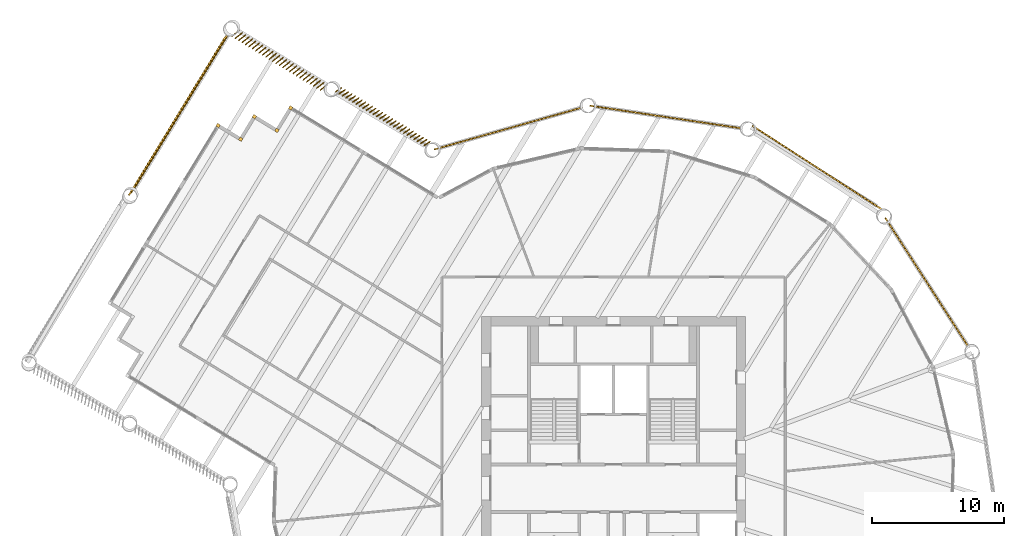
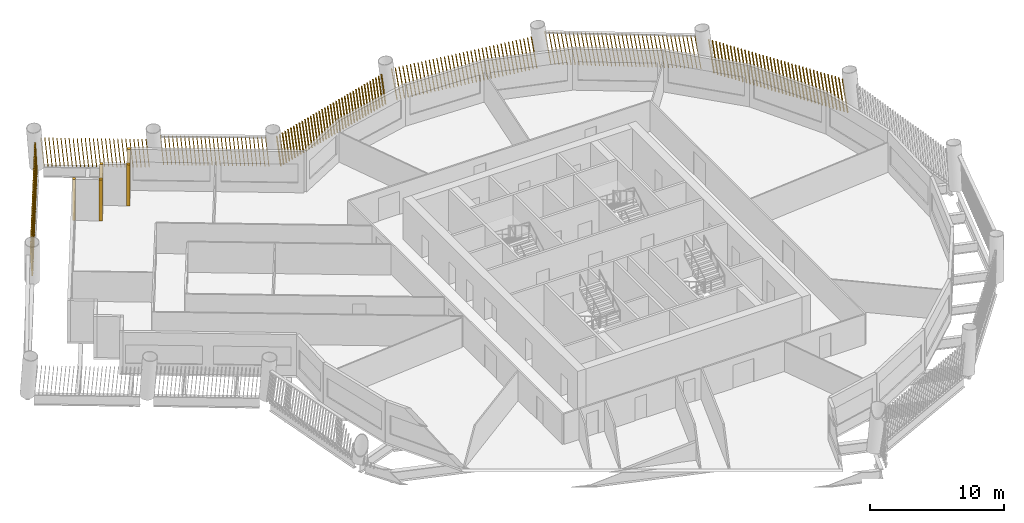
# One storey, part 14 of 15: 12 shading devices.
"""IFC4 building model written with IfcOpenShell, lengths in metres."""

from ifc_helpers import new_model, si_unit, direction, frame, frame_2d, origin, origin_2d, place, context, subcontext, project, spatial, rectangle, composite_profile, extrude, material, type_object, element, save


model = new_model("IFC4")

# Units and contexts
model_context = context("Model", 3, precision=1e-05, world=origin(), true_north=direction((0.0, 1.0)))
body_context = subcontext(model_context, "Body", "Model", "MODEL_VIEW")
ifc_project = project(units=[si_unit("LENGTHUNIT", "METRE"), si_unit("AREAUNIT", "SQUARE_METRE"), si_unit("VOLUMEUNIT", "CUBIC_METRE"), si_unit("PLANEANGLEUNIT", "RADIAN"), si_unit("MASSUNIT", "GRAM", prefix="KILO")], contexts=[model_context])

# Site, building, storey
site_placement = place(None, origin())
site = spatial("IfcSite", under=ifc_project, at=site_placement, CompositionType="ELEMENT")
building_placement = place(site_placement, origin())
building = spatial("IfcBuilding", under=site, at=building_placement, Name="Tarsis Ring Headquarters", CompositionType="ELEMENT")
storey_placement = place(building_placement, frame((0.0, 0.0, 151.5)))
storey = spatial("IfcBuildingStorey", under=building, at=storey_placement, Name="L34", CompositionType="ELEMENT", Elevation=151.5)

# Shading devices
ifc_material = material(Name="Terracotta baguette", Category="masonry")
shading_device_type_1 = type_object("IfcShadingDeviceType", Name="Terracotta baguette screen", PredefinedType="USERDEFINED", material=ifc_material)
shading_device_1_placement = place(storey_placement, frame((26.9130859375, 10.65966796875, 0.0), z_axis=(0.0, 0.0, 1.0), x_axis=(-0.541865613334, 0.840459241254, 0.0)))
element("IfcShadingDevice", 1, at=shading_device_1_placement, inside=storey, type_object=shading_device_type_1, Name="Baguette screen L34-11", ObjectType="Terracotta baguette screen", PredefinedType="USERDEFINED", context=body_context, shape_type="SweptSolid", body=[
    extrude(composite_profile([rectangle(XDim=0.06005859375, YDim=0.1201171875, at=frame_2d((0.030029296875, 0.0))), rectangle(XDim=0.06005859375, YDim=0.1201171875, at=frame_2d((0.33251953125, 0.0))), rectangle(XDim=0.06005859375, YDim=0.1201171875, at=frame_2d((0.634765625, 0.0))), rectangle(XDim=0.06005859375, YDim=0.1201171875, at=frame_2d((0.937255859375, 0.0))), rectangle(XDim=0.06005859375, YDim=0.1201171875, at=frame_2d((1.239501953125, 0.0))), rectangle(XDim=0.06005859375, YDim=0.1201171875, at=frame_2d((1.5419921875, 0.0))), rectangle(XDim=0.06005859375, YDim=0.1201171875, at=frame_2d((1.844482421875, 0.0))), rectangle(XDim=0.06005859375, YDim=0.1201171875, at=frame_2d((2.146728515625, 0.0))), rectangle(XDim=0.06005859375, YDim=0.1201171875, at=frame_2d((2.44921875, 0.0))), rectangle(XDim=0.06005859375, YDim=0.1201171875, at=frame_2d((2.751708984375, 0.0))), rectangle(XDim=0.06005859375, YDim=0.1201171875, at=frame_2d((3.053955078125, 0.0))), rectangle(XDim=0.06005859375, YDim=0.1201171875, at=frame_2d((3.3564453125, 0.0))), rectangle(XDim=0.06005859375, YDim=0.1201171875, at=frame_2d((3.65869140625, 0.0))), rectangle(XDim=0.06005859375, YDim=0.1201171875, at=frame_2d((3.961181640625, 0.0))), rectangle(XDim=0.06005859375, YDim=0.1201171875, at=frame_2d((4.263671875, 0.0))), rectangle(XDim=0.06005859375, YDim=0.1201171875, at=frame_2d((4.56591796875, 0.0))), rectangle(XDim=0.06005859375, YDim=0.1201171875, at=frame_2d((4.868408203125, 0.0))), rectangle(XDim=0.06005859375, YDim=0.1201171875, at=frame_2d((5.1708984375, 0.0))), rectangle(XDim=0.06005859375, YDim=0.1201171875, at=frame_2d((5.47314453125, 0.0))), rectangle(XDim=0.06005859375, YDim=0.1201171875, at=frame_2d((5.775634765625, 0.0))), rectangle(XDim=0.06005859375, YDim=0.1201171875, at=frame_2d((6.077880859375, 0.0))), rectangle(XDim=0.06005859375, YDim=0.1201171875, at=frame_2d((6.38037109375, 0.0))), rectangle(XDim=0.06005859375, YDim=0.1201171875, at=frame_2d((6.682861328125, 0.0))), rectangle(XDim=0.06005859375, YDim=0.1201171875, at=frame_2d((6.985107421875, 0.0))), rectangle(XDim=0.06005859375, YDim=0.1201171875, at=frame_2d((7.28759765625, 0.0))), rectangle(XDim=0.06005859375, YDim=0.1201171875, at=frame_2d((7.590087890625, 0.0))), rectangle(XDim=0.06005859375, YDim=0.1201171875, at=frame_2d((7.892333984375, 0.0))), rectangle(XDim=0.06005859375, YDim=0.1201171875, at=frame_2d((8.19482421875, 0.0))), rectangle(XDim=0.06005859375, YDim=0.1201171875, at=frame_2d((8.4970703125, 0.0))), rectangle(XDim=0.06005859375, YDim=0.1201171875, at=frame_2d((8.799560546875, 0.0))), rectangle(XDim=0.06005859375, YDim=0.1201171875, at=frame_2d((9.10205078125, 0.0))), rectangle(XDim=0.06005859375, YDim=0.1201171875, at=frame_2d((9.404296875, 0.0))), rectangle(XDim=0.06005859375, YDim=0.1201171875, at=frame_2d((9.706787109375, 0.0))), rectangle(XDim=0.06005859375, YDim=0.1201171875, at=frame_2d((10.00927734375, 0.0))), rectangle(XDim=0.06005859375, YDim=0.1201171875, at=frame_2d((10.3115234375, 0.0))), rectangle(XDim=0.06005859375, YDim=0.1201171875, at=frame_2d((10.614013671875, 0.0))), rectangle(XDim=0.06005859375, YDim=0.1201171875, at=frame_2d((10.916259765625, 0.0))), rectangle(XDim=0.06005859375, YDim=0.1201171875, at=frame_2d((11.21875, 0.0)))]), origin(), (0.149495011453, 0.001174943571, 0.988761781754), 2.9833984375),
])
shading_device_2_placement = place(storey_placement, frame((20.330078125, 21.120361328125, 0.0), z_axis=(0.0, 0.0, 1.0), x_axis=(-0.840130222463, 0.5423982637, 0.0)))
element("IfcShadingDevice", 2, at=shading_device_2_placement, inside=storey, type_object=shading_device_type_1, Name="Baguette screen L34-12", ObjectType="Terracotta baguette screen", PredefinedType="USERDEFINED", context=body_context, shape_type="SweptSolid", body=[
    extrude(composite_profile([rectangle(XDim=0.06005859375, YDim=0.1201171875, at=frame_2d((0.030029296875, 0.0))), rectangle(XDim=0.06005859375, YDim=0.1201171875, at=frame_2d((0.33251953125, 0.0))), rectangle(XDim=0.06005859375, YDim=0.1201171875, at=frame_2d((0.634765625, 0.0))), rectangle(XDim=0.06005859375, YDim=0.1201171875, at=frame_2d((0.937255859375, 0.0))), rectangle(XDim=0.06005859375, YDim=0.1201171875, at=frame_2d((1.239501953125, 0.0))), rectangle(XDim=0.06005859375, YDim=0.1201171875, at=frame_2d((1.5419921875, 0.0))), rectangle(XDim=0.06005859375, YDim=0.1201171875, at=frame_2d((1.844482421875, 0.0))), rectangle(XDim=0.06005859375, YDim=0.1201171875, at=frame_2d((2.146728515625, 0.0))), rectangle(XDim=0.06005859375, YDim=0.1201171875, at=frame_2d((2.44921875, 0.0))), rectangle(XDim=0.06005859375, YDim=0.1201171875, at=frame_2d((2.751708984375, 0.0))), rectangle(XDim=0.06005859375, YDim=0.1201171875, at=frame_2d((3.053955078125, 0.0))), rectangle(XDim=0.06005859375, YDim=0.1201171875, at=frame_2d((3.3564453125, 0.0))), rectangle(XDim=0.06005859375, YDim=0.1201171875, at=frame_2d((3.65869140625, 0.0))), rectangle(XDim=0.06005859375, YDim=0.1201171875, at=frame_2d((3.961181640625, 0.0))), rectangle(XDim=0.06005859375, YDim=0.1201171875, at=frame_2d((4.263671875, 0.0))), rectangle(XDim=0.06005859375, YDim=0.1201171875, at=frame_2d((4.56591796875, 0.0))), rectangle(XDim=0.06005859375, YDim=0.1201171875, at=frame_2d((4.868408203125, 0.0))), rectangle(XDim=0.06005859375, YDim=0.1201171875, at=frame_2d((5.1708984375, 0.0))), rectangle(XDim=0.06005859375, YDim=0.1201171875, at=frame_2d((5.47314453125, 0.0))), rectangle(XDim=0.06005859375, YDim=0.1201171875, at=frame_2d((5.775634765625, 0.0))), rectangle(XDim=0.06005859375, YDim=0.1201171875, at=frame_2d((6.077880859375, 0.0))), rectangle(XDim=0.06005859375, YDim=0.1201171875, at=frame_2d((6.38037109375, 0.0))), rectangle(XDim=0.06005859375, YDim=0.1201171875, at=frame_2d((6.682861328125, 0.0))), rectangle(XDim=0.06005859375, YDim=0.1201171875, at=frame_2d((6.985107421875, 0.0))), rectangle(XDim=0.06005859375, YDim=0.1201171875, at=frame_2d((7.28759765625, 0.0))), rectangle(XDim=0.06005859375, YDim=0.1201171875, at=frame_2d((7.590087890625, 0.0))), rectangle(XDim=0.06005859375, YDim=0.1201171875, at=frame_2d((7.892333984375, 0.0))), rectangle(XDim=0.06005859375, YDim=0.1201171875, at=frame_2d((8.19482421875, 0.0))), rectangle(XDim=0.06005859375, YDim=0.1201171875, at=frame_2d((8.4970703125, 0.0))), rectangle(XDim=0.06005859375, YDim=0.1201171875, at=frame_2d((8.799560546875, 0.0))), rectangle(XDim=0.06005859375, YDim=0.1201171875, at=frame_2d((9.10205078125, 0.0))), rectangle(XDim=0.06005859375, YDim=0.1201171875, at=frame_2d((9.404296875, 0.0))), rectangle(XDim=0.06005859375, YDim=0.1201171875, at=frame_2d((9.706787109375, 0.0))), rectangle(XDim=0.06005859375, YDim=0.1201171875, at=frame_2d((10.00927734375, 0.0))), rectangle(XDim=0.06005859375, YDim=0.1201171875, at=frame_2d((10.3115234375, 0.0))), rectangle(XDim=0.06005859375, YDim=0.1201171875, at=frame_2d((10.614013671875, 0.0))), rectangle(XDim=0.06005859375, YDim=0.1201171875, at=frame_2d((10.916259765625, 0.0))), rectangle(XDim=0.06005859375, YDim=0.1201171875, at=frame_2d((11.21875, 0.0)))]), origin(), (0.15142640584, 0.001190843937, 0.988467817132), 2.984375),
])
shading_device_3_placement = place(storey_placement, frame((9.761474609375, 27.251708984375, 0.0), z_axis=(0.0, 0.0, 1.0), x_axis=(-0.988996201845, 0.147867607162, 0.0)))
element("IfcShadingDevice", 3, at=shading_device_3_placement, inside=storey, type_object=shading_device_type_1, Name="Baguette screen L34-13", ObjectType="Terracotta baguette screen", PredefinedType="USERDEFINED", context=body_context, shape_type="SweptSolid", body=[
    extrude(composite_profile([rectangle(XDim=0.06005859375, YDim=0.1201171875, at=frame_2d((0.030029296875, 0.0))), rectangle(XDim=0.06005859375, YDim=0.1201171875, at=frame_2d((0.33251953125, 0.0))), rectangle(XDim=0.06005859375, YDim=0.1201171875, at=frame_2d((0.634765625, 0.0))), rectangle(XDim=0.06005859375, YDim=0.1201171875, at=frame_2d((0.937255859375, 0.0))), rectangle(XDim=0.06005859375, YDim=0.1201171875, at=frame_2d((1.239501953125, 0.0))), rectangle(XDim=0.06005859375, YDim=0.1201171875, at=frame_2d((1.5419921875, 0.0))), rectangle(XDim=0.06005859375, YDim=0.1201171875, at=frame_2d((1.844482421875, 0.0))), rectangle(XDim=0.06005859375, YDim=0.1201171875, at=frame_2d((2.146728515625, 0.0))), rectangle(XDim=0.06005859375, YDim=0.1201171875, at=frame_2d((2.44921875, 0.0))), rectangle(XDim=0.06005859375, YDim=0.1201171875, at=frame_2d((2.751708984375, 0.0))), rectangle(XDim=0.06005859375, YDim=0.1201171875, at=frame_2d((3.053955078125, 0.0))), rectangle(XDim=0.06005859375, YDim=0.1201171875, at=frame_2d((3.3564453125, 0.0))), rectangle(XDim=0.06005859375, YDim=0.1201171875, at=frame_2d((3.65869140625, 0.0))), rectangle(XDim=0.06005859375, YDim=0.1201171875, at=frame_2d((3.961181640625, 0.0))), rectangle(XDim=0.06005859375, YDim=0.1201171875, at=frame_2d((4.263671875, 0.0))), rectangle(XDim=0.06005859375, YDim=0.1201171875, at=frame_2d((4.56591796875, 0.0))), rectangle(XDim=0.06005859375, YDim=0.1201171875, at=frame_2d((4.868408203125, 0.0))), rectangle(XDim=0.06005859375, YDim=0.1201171875, at=frame_2d((5.1708984375, 0.0))), rectangle(XDim=0.06005859375, YDim=0.1201171875, at=frame_2d((5.47314453125, 0.0))), rectangle(XDim=0.06005859375, YDim=0.1201171875, at=frame_2d((5.775634765625, 0.0))), rectangle(XDim=0.06005859375, YDim=0.1201171875, at=frame_2d((6.077880859375, 0.0))), rectangle(XDim=0.06005859375, YDim=0.1201171875, at=frame_2d((6.38037109375, 0.0))), rectangle(XDim=0.06005859375, YDim=0.1201171875, at=frame_2d((6.682861328125, 0.0))), rectangle(XDim=0.06005859375, YDim=0.1201171875, at=frame_2d((6.985107421875, 0.0))), rectangle(XDim=0.06005859375, YDim=0.1201171875, at=frame_2d((7.28759765625, 0.0))), rectangle(XDim=0.06005859375, YDim=0.1201171875, at=frame_2d((7.590087890625, 0.0))), rectangle(XDim=0.06005859375, YDim=0.1201171875, at=frame_2d((7.892333984375, 0.0))), rectangle(XDim=0.06005859375, YDim=0.1201171875, at=frame_2d((8.19482421875, 0.0))), rectangle(XDim=0.06005859375, YDim=0.1201171875, at=frame_2d((8.4970703125, 0.0))), rectangle(XDim=0.06005859375, YDim=0.1201171875, at=frame_2d((8.799560546875, 0.0))), rectangle(XDim=0.06005859375, YDim=0.1201171875, at=frame_2d((9.10205078125, 0.0))), rectangle(XDim=0.06005859375, YDim=0.1201171875, at=frame_2d((9.404296875, 0.0))), rectangle(XDim=0.06005859375, YDim=0.1201171875, at=frame_2d((9.706787109375, 0.0))), rectangle(XDim=0.06005859375, YDim=0.1201171875, at=frame_2d((10.00927734375, 0.0))), rectangle(XDim=0.06005859375, YDim=0.1201171875, at=frame_2d((10.3115234375, 0.0))), rectangle(XDim=0.06005859375, YDim=0.1201171875, at=frame_2d((10.614013671875, 0.0))), rectangle(XDim=0.06005859375, YDim=0.1201171875, at=frame_2d((10.916259765625, 0.0))), rectangle(XDim=0.06005859375, YDim=0.1201171875, at=frame_2d((11.21875, 0.0)))]), origin(), (0.149494099029, 0.001173359541, 0.988761921588), 2.9833984375),
])
shading_device_4_placement = place(storey_placement, frame((-2.339111328125, 28.8525390625, 0.0), z_axis=(0.0, 0.0, 1.0), x_axis=(-0.962040151926, -0.27292457949, 0.0)))
element("IfcShadingDevice", 4, at=shading_device_4_placement, inside=storey, type_object=shading_device_type_1, Name="Baguette screen L34-14", ObjectType="Terracotta baguette screen", PredefinedType="USERDEFINED", context=body_context, shape_type="SweptSolid", body=[
    extrude(composite_profile([rectangle(XDim=0.06005859375, YDim=0.1201171875, at=frame_2d((0.030029296875, 0.0))), rectangle(XDim=0.06005859375, YDim=0.1201171875, at=frame_2d((0.33251953125, 0.0))), rectangle(XDim=0.06005859375, YDim=0.1201171875, at=frame_2d((0.634765625, 0.0))), rectangle(XDim=0.06005859375, YDim=0.1201171875, at=frame_2d((0.937255859375, 0.0))), rectangle(XDim=0.06005859375, YDim=0.1201171875, at=frame_2d((1.239501953125, 0.0))), rectangle(XDim=0.06005859375, YDim=0.1201171875, at=frame_2d((1.5419921875, 0.0))), rectangle(XDim=0.06005859375, YDim=0.1201171875, at=frame_2d((1.844482421875, 0.0))), rectangle(XDim=0.06005859375, YDim=0.1201171875, at=frame_2d((2.146728515625, 0.0))), rectangle(XDim=0.06005859375, YDim=0.1201171875, at=frame_2d((2.44921875, 0.0))), rectangle(XDim=0.06005859375, YDim=0.1201171875, at=frame_2d((2.751708984375, 0.0))), rectangle(XDim=0.06005859375, YDim=0.1201171875, at=frame_2d((3.053955078125, 0.0))), rectangle(XDim=0.06005859375, YDim=0.1201171875, at=frame_2d((3.3564453125, 0.0))), rectangle(XDim=0.06005859375, YDim=0.1201171875, at=frame_2d((3.65869140625, 0.0))), rectangle(XDim=0.06005859375, YDim=0.1201171875, at=frame_2d((3.961181640625, 0.0))), rectangle(XDim=0.06005859375, YDim=0.1201171875, at=frame_2d((4.263671875, 0.0))), rectangle(XDim=0.06005859375, YDim=0.1201171875, at=frame_2d((4.56591796875, 0.0))), rectangle(XDim=0.06005859375, YDim=0.1201171875, at=frame_2d((4.868408203125, 0.0))), rectangle(XDim=0.06005859375, YDim=0.1201171875, at=frame_2d((5.1708984375, 0.0))), rectangle(XDim=0.06005859375, YDim=0.1201171875, at=frame_2d((5.47314453125, 0.0))), rectangle(XDim=0.06005859375, YDim=0.1201171875, at=frame_2d((5.775634765625, 0.0))), rectangle(XDim=0.06005859375, YDim=0.1201171875, at=frame_2d((6.077880859375, 0.0))), rectangle(XDim=0.06005859375, YDim=0.1201171875, at=frame_2d((6.38037109375, 0.0))), rectangle(XDim=0.06005859375, YDim=0.1201171875, at=frame_2d((6.682861328125, 0.0))), rectangle(XDim=0.06005859375, YDim=0.1201171875, at=frame_2d((6.985107421875, 0.0))), rectangle(XDim=0.06005859375, YDim=0.1201171875, at=frame_2d((7.28759765625, 0.0))), rectangle(XDim=0.06005859375, YDim=0.1201171875, at=frame_2d((7.590087890625, 0.0))), rectangle(XDim=0.06005859375, YDim=0.1201171875, at=frame_2d((7.892333984375, 0.0))), rectangle(XDim=0.06005859375, YDim=0.1201171875, at=frame_2d((8.19482421875, 0.0))), rectangle(XDim=0.06005859375, YDim=0.1201171875, at=frame_2d((8.4970703125, 0.0))), rectangle(XDim=0.06005859375, YDim=0.1201171875, at=frame_2d((8.799560546875, 0.0))), rectangle(XDim=0.06005859375, YDim=0.1201171875, at=frame_2d((9.10205078125, 0.0))), rectangle(XDim=0.06005859375, YDim=0.1201171875, at=frame_2d((9.404296875, 0.0))), rectangle(XDim=0.06005859375, YDim=0.1201171875, at=frame_2d((9.706787109375, 0.0))), rectangle(XDim=0.06005859375, YDim=0.1201171875, at=frame_2d((10.00927734375, 0.0))), rectangle(XDim=0.06005859375, YDim=0.1201171875, at=frame_2d((10.3115234375, 0.0))), rectangle(XDim=0.06005859375, YDim=0.1201171875, at=frame_2d((10.614013671875, 0.0))), rectangle(XDim=0.06005859375, YDim=0.1201171875, at=frame_2d((10.916259765625, 0.0))), rectangle(XDim=0.06005859375, YDim=0.1201171875, at=frame_2d((11.21875, 0.0)))]), origin(), (0.149496431671, 0.001175302584, 0.988761566598), 2.9833984375),
])
shading_device_5_placement = place(storey_placement, frame((-13.873779296875, 26.226318359375, 0.0), z_axis=(0.0, 0.0, 1.0), x_axis=(-0.853898912506, 0.520421403856, 0.0)))
element("IfcShadingDevice", 5, at=shading_device_5_placement, inside=storey, type_object=shading_device_type_1, Name="Baguette screen L34-15", ObjectType="Terracotta baguette screen", PredefinedType="USERDEFINED", context=body_context, shape_type="SweptSolid", body=[
    extrude(composite_profile([rectangle(XDim=0.06005859375, YDim=0.1201171875, at=frame_2d((0.030029296875, 0.0))), rectangle(XDim=0.06005859375, YDim=0.1201171875, at=frame_2d((0.33154296875, 0.0))), rectangle(XDim=0.06005859375, YDim=0.1201171875, at=frame_2d((0.63330078125, 0.0))), rectangle(XDim=0.06005859375, YDim=0.1201171875, at=frame_2d((0.934814453125, 0.0))), rectangle(XDim=0.06005859375, YDim=0.1201171875, at=frame_2d((1.236572265625, 0.0))), rectangle(XDim=0.06005859375, YDim=0.1201171875, at=frame_2d((1.5380859375, 0.0))), rectangle(XDim=0.06005859375, YDim=0.1201171875, at=frame_2d((1.83984375, 0.0))), rectangle(XDim=0.06005859375, YDim=0.1201171875, at=frame_2d((2.141357421875, 0.0))), rectangle(XDim=0.06005859375, YDim=0.1201171875, at=frame_2d((2.443115234375, 0.0))), rectangle(XDim=0.06005859375, YDim=0.1201171875, at=frame_2d((2.74462890625, 0.0))), rectangle(XDim=0.06005859375, YDim=0.1201171875, at=frame_2d((3.04638671875, 0.0))), rectangle(XDim=0.06005859375, YDim=0.1201171875, at=frame_2d((3.347900390625, 0.0))), rectangle(XDim=0.06005859375, YDim=0.1201171875, at=frame_2d((3.649658203125, 0.0))), rectangle(XDim=0.06005859375, YDim=0.1201171875, at=frame_2d((3.951171875, 0.0))), rectangle(XDim=0.06005859375, YDim=0.1201171875, at=frame_2d((4.252685546875, 0.0))), rectangle(XDim=0.06005859375, YDim=0.1201171875, at=frame_2d((4.554443359375, 0.0))), rectangle(XDim=0.06005859375, YDim=0.1201171875, at=frame_2d((4.85595703125, 0.0))), rectangle(XDim=0.06005859375, YDim=0.1201171875, at=frame_2d((5.15771484375, 0.0))), rectangle(XDim=0.06005859375, YDim=0.1201171875, at=frame_2d((5.459228515625, 0.0))), rectangle(XDim=0.06005859375, YDim=0.1201171875, at=frame_2d((5.760986328125, 0.0))), rectangle(XDim=0.06005859375, YDim=0.1201171875, at=frame_2d((6.0625, 0.0))), rectangle(XDim=0.06005859375, YDim=0.1201171875, at=frame_2d((6.3642578125, 0.0))), rectangle(XDim=0.06005859375, YDim=0.1201171875, at=frame_2d((6.665771484375, 0.0))), rectangle(XDim=0.06005859375, YDim=0.1201171875, at=frame_2d((6.967529296875, 0.0))), rectangle(XDim=0.06005859375, YDim=0.1201171875, at=frame_2d((7.26904296875, 0.0))), rectangle(XDim=0.06005859375, YDim=0.1201171875, at=frame_2d((7.57080078125, 0.0))), rectangle(XDim=0.06005859375, YDim=0.1201171875, at=frame_2d((7.872314453125, 0.0)))]), origin(), (0.078356529734, 0.155032495829, 0.984797024511), 2.99560546875),
])
shading_device_6_placement = place(storey_placement, frame((-21.670654296875, 30.5390625, 0.0), z_axis=(0.0, 0.0, 1.0), x_axis=(-0.853925294281, 0.520406586956, 0.0)))
element("IfcShadingDevice", 6, at=shading_device_6_placement, inside=storey, type_object=shading_device_type_1, Name="Baguette screen L34-16", ObjectType="Terracotta baguette screen", PredefinedType="USERDEFINED", context=body_context, shape_type="SweptSolid", body=[
    extrude(composite_profile([rectangle(XDim=0.06005859375, YDim=0.1201171875, at=frame_2d((0.030029296875, 0.0))), rectangle(XDim=0.06005859375, YDim=0.1201171875, at=frame_2d((0.33154296875, 0.0))), rectangle(XDim=0.06005859375, YDim=0.1201171875, at=frame_2d((0.63330078125, 0.0))), rectangle(XDim=0.06005859375, YDim=0.1201171875, at=frame_2d((0.934814453125, 0.0))), rectangle(XDim=0.06005859375, YDim=0.1201171875, at=frame_2d((1.236572265625, 0.0))), rectangle(XDim=0.06005859375, YDim=0.1201171875, at=frame_2d((1.5380859375, 0.0))), rectangle(XDim=0.06005859375, YDim=0.1201171875, at=frame_2d((1.83984375, 0.0))), rectangle(XDim=0.06005859375, YDim=0.1201171875, at=frame_2d((2.141357421875, 0.0))), rectangle(XDim=0.06005859375, YDim=0.1201171875, at=frame_2d((2.443115234375, 0.0))), rectangle(XDim=0.06005859375, YDim=0.1201171875, at=frame_2d((2.74462890625, 0.0))), rectangle(XDim=0.06005859375, YDim=0.1201171875, at=frame_2d((3.04638671875, 0.0))), rectangle(XDim=0.06005859375, YDim=0.1201171875, at=frame_2d((3.347900390625, 0.0))), rectangle(XDim=0.06005859375, YDim=0.1201171875, at=frame_2d((3.649658203125, 0.0))), rectangle(XDim=0.06005859375, YDim=0.1201171875, at=frame_2d((3.951171875, 0.0))), rectangle(XDim=0.06005859375, YDim=0.1201171875, at=frame_2d((4.252685546875, 0.0))), rectangle(XDim=0.06005859375, YDim=0.1201171875, at=frame_2d((4.554443359375, 0.0))), rectangle(XDim=0.06005859375, YDim=0.1201171875, at=frame_2d((4.85595703125, 0.0))), rectangle(XDim=0.06005859375, YDim=0.1201171875, at=frame_2d((5.15771484375, 0.0))), rectangle(XDim=0.06005859375, YDim=0.1201171875, at=frame_2d((5.459228515625, 0.0))), rectangle(XDim=0.06005859375, YDim=0.1201171875, at=frame_2d((5.760986328125, 0.0))), rectangle(XDim=0.06005859375, YDim=0.1201171875, at=frame_2d((6.0625, 0.0))), rectangle(XDim=0.06005859375, YDim=0.1201171875, at=frame_2d((6.3642578125, 0.0))), rectangle(XDim=0.06005859375, YDim=0.1201171875, at=frame_2d((6.665771484375, 0.0))), rectangle(XDim=0.06005859375, YDim=0.1201171875, at=frame_2d((6.967529296875, 0.0))), rectangle(XDim=0.06005859375, YDim=0.1201171875, at=frame_2d((7.26904296875, 0.0))), rectangle(XDim=0.06005859375, YDim=0.1201171875, at=frame_2d((7.57080078125, 0.0))), rectangle(XDim=0.06005859375, YDim=0.1201171875, at=frame_2d((7.872314453125, 0.0)))]), origin(), (0.075417985568, 0.200075066371, 0.976873633214), 3.019775390625),
])
shading_device_7_placement = place(storey_placement, frame((-29.105712890625, 34.484619140625, 0.0), z_axis=(0.0, 0.0, 1.0), x_axis=(-0.520416106433, -0.853920458566, 0.0)))
element("IfcShadingDevice", 7, at=shading_device_7_placement, inside=storey, type_object=shading_device_type_1, Name="Baguette screen L34-17", ObjectType="Terracotta baguette screen", PredefinedType="USERDEFINED", context=body_context, shape_type="SweptSolid", body=[
    extrude(composite_profile([rectangle(XDim=0.06005859375, YDim=0.1201171875, at=frame_2d((0.030029296875, 0.0))), rectangle(XDim=0.06005859375, YDim=0.1201171875, at=frame_2d((0.33544921875, 0.0))), rectangle(XDim=0.06005859375, YDim=0.1201171875, at=frame_2d((0.640625, 0.0))), rectangle(XDim=0.06005859375, YDim=0.1201171875, at=frame_2d((0.946044921875, 0.0))), rectangle(XDim=0.06005859375, YDim=0.1201171875, at=frame_2d((1.25146484375, 0.0))), rectangle(XDim=0.06005859375, YDim=0.1201171875, at=frame_2d((1.556640625, 0.0))), rectangle(XDim=0.06005859375, YDim=0.1201171875, at=frame_2d((1.862060546875, 0.0))), rectangle(XDim=0.06005859375, YDim=0.1201171875, at=frame_2d((2.16748046875, 0.0))), rectangle(XDim=0.06005859375, YDim=0.1201171875, at=frame_2d((2.47265625, 0.0))), rectangle(XDim=0.06005859375, YDim=0.1201171875, at=frame_2d((2.778076171875, 0.0))), rectangle(XDim=0.06005859375, YDim=0.1201171875, at=frame_2d((3.08349609375, 0.0))), rectangle(XDim=0.06005859375, YDim=0.1201171875, at=frame_2d((3.388671875, 0.0))), rectangle(XDim=0.06005859375, YDim=0.1201171875, at=frame_2d((3.694091796875, 0.0))), rectangle(XDim=0.06005859375, YDim=0.1201171875, at=frame_2d((3.99951171875, 0.0))), rectangle(XDim=0.06005859375, YDim=0.1201171875, at=frame_2d((4.3046875, 0.0))), rectangle(XDim=0.06005859375, YDim=0.1201171875, at=frame_2d((4.610107421875, 0.0))), rectangle(XDim=0.06005859375, YDim=0.1201171875, at=frame_2d((4.91552734375, 0.0))), rectangle(XDim=0.06005859375, YDim=0.1201171875, at=frame_2d((5.220703125, 0.0))), rectangle(XDim=0.06005859375, YDim=0.1201171875, at=frame_2d((5.526123046875, 0.0))), rectangle(XDim=0.06005859375, YDim=0.1201171875, at=frame_2d((5.83154296875, 0.0))), rectangle(XDim=0.06005859375, YDim=0.1201171875, at=frame_2d((6.13671875, 0.0))), rectangle(XDim=0.06005859375, YDim=0.1201171875, at=frame_2d((6.442138671875, 0.0))), rectangle(XDim=0.06005859375, YDim=0.1201171875, at=frame_2d((6.74755859375, 0.0))), rectangle(XDim=0.06005859375, YDim=0.1201171875, at=frame_2d((7.052734375, 0.0))), rectangle(XDim=0.06005859375, YDim=0.1201171875, at=frame_2d((7.358154296875, 0.0))), rectangle(XDim=0.06005859375, YDim=0.1201171875, at=frame_2d((7.66357421875, 0.0))), rectangle(XDim=0.06005859375, YDim=0.1201171875, at=frame_2d((7.96875, 0.0))), rectangle(XDim=0.06005859375, YDim=0.1201171875, at=frame_2d((8.274169921875, 0.0))), rectangle(XDim=0.06005859375, YDim=0.1201171875, at=frame_2d((8.57958984375, 0.0))), rectangle(XDim=0.06005859375, YDim=0.1201171875, at=frame_2d((8.884765625, 0.0))), rectangle(XDim=0.06005859375, YDim=0.1201171875, at=frame_2d((9.190185546875, 0.0))), rectangle(XDim=0.06005859375, YDim=0.1201171875, at=frame_2d((9.49560546875, 0.0))), rectangle(XDim=0.06005859375, YDim=0.1201171875, at=frame_2d((9.80078125, 0.0))), rectangle(XDim=0.06005859375, YDim=0.1201171875, at=frame_2d((10.106201171875, 0.0))), rectangle(XDim=0.06005859375, YDim=0.1201171875, at=frame_2d((10.41162109375, 0.0))), rectangle(XDim=0.06005859375, YDim=0.1201171875, at=frame_2d((10.716796875, 0.0))), rectangle(XDim=0.06005859375, YDim=0.1201171875, at=frame_2d((11.022216796875, 0.0))), rectangle(XDim=0.06005859375, YDim=0.1201171875, at=frame_2d((11.32763671875, 0.0))), rectangle(XDim=0.06005859375, YDim=0.1201171875, at=frame_2d((11.6328125, 0.0))), rectangle(XDim=0.06005859375, YDim=0.1201171875, at=frame_2d((11.938232421875, 0.0))), rectangle(XDim=0.06005859375, YDim=0.1201171875, at=frame_2d((12.24365234375, 0.0))), rectangle(XDim=0.06005859375, YDim=0.1201171875, at=frame_2d((12.548828125, 0.0))), rectangle(XDim=0.06005859375, YDim=0.1201171875, at=frame_2d((12.854248046875, 0.0))), rectangle(XDim=0.06005859375, YDim=0.1201171875, at=frame_2d((13.15966796875, 0.0))), rectangle(XDim=0.06005859375, YDim=0.1201171875, at=frame_2d((13.46484375, 0.0))), rectangle(XDim=0.06005859375, YDim=0.1201171875, at=frame_2d((13.770263671875, 0.0)))]), origin(), (0.222334850956, -0.036645505437, 0.974281438282), 3.02783203125),
])
shading_device_type_2 = type_object("IfcShadingDeviceType", Name="Terracotta corner baguette 250x250", PredefinedType="USERDEFINED", material=ifc_material)
for number, where, z_axis, x_axis, name in (
    (8, (-24.454345703125, 28.81005859375, 0.0), (0.0, 0.0, 1.0), (-0.853914331664, 0.520413599149, 0.0), "Corner baguette L34-32"),
    (9, (-25.4951171875, 27.102294921875, 0.0), (0.0, 0.0, 1.0), (-0.520413822703, -0.85391419542, 0.0), "Corner baguette L34-33"),
    (10, (-27.202880859375, 28.14306640625, 0.0), (0.0, 0.0, 1.0), (-0.853914286249, 0.520413673667, 0.0), "Corner baguette L34-34"),
    (11, (-28.24365234375, 26.435302734375, 0.0), (0.0, 0.0, 1.0), (-0.520413673667, -0.853914286249, 0.0), "Corner baguette L34-35"),
    (12, (-29.95166015625, 27.47607421875, 0.0), (0.0, 0.0, 1.0), (-0.853914422493, 0.520413450112, 0.0), "Corner baguette L34-36"),
):
    element("IfcShadingDevice", number, at=place(storey_placement, frame(where, z_axis=z_axis, x_axis=x_axis)), inside=storey, type_object=shading_device_type_2, Name=name, ObjectType="Terracotta corner baguette", PredefinedType="USERDEFINED", context=body_context, shape_type="SweptSolid", body=[
        extrude(rectangle(XDim=0.25, YDim=0.25, at=origin_2d()), origin(), (0.0, 0.0, 1.0), 3.739990234375),
    ])

save(model, "model.ifc")
